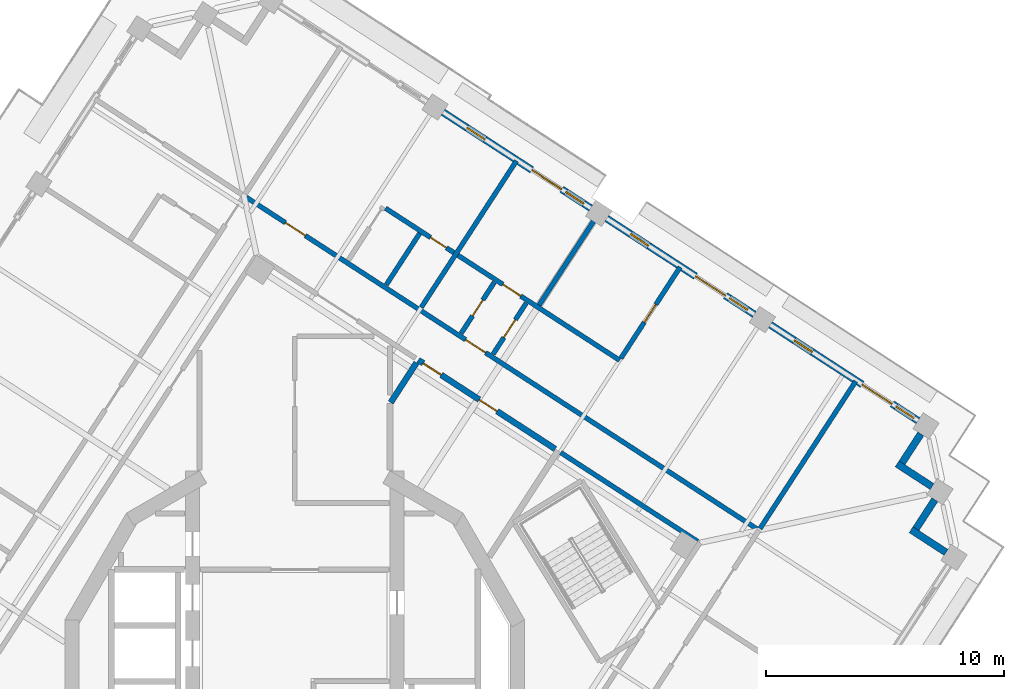
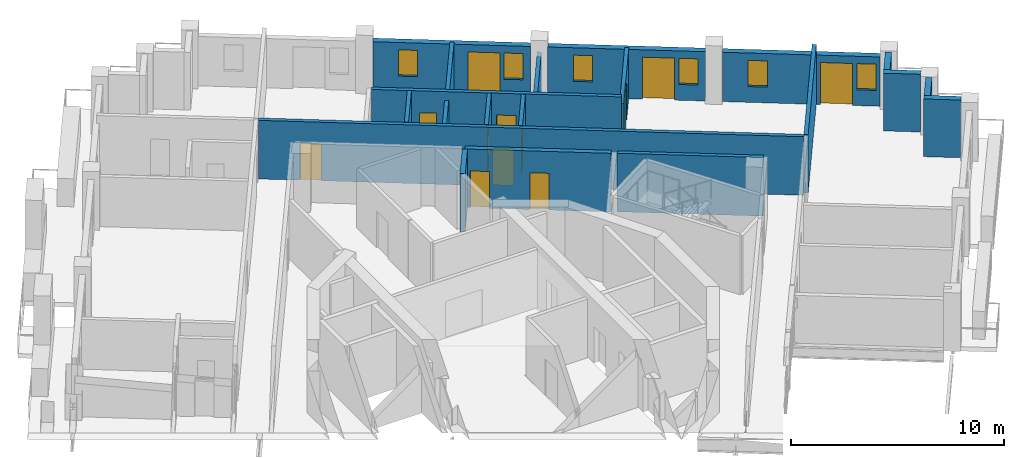
# One storey, part 10 of 17: 19 walls, 12 doors, 6 windows, 18 openings.
"""IFC4 building model written with IfcOpenShell, lengths in metres."""

from ifc_helpers import new_model, si_unit, direction, frame, frame_2d, origin, place, context, subcontext, project, spatial, rectangle, extrude, material, layer, layer_set, type_object, element, fill, save


model = new_model("IFC4")

# Units and contexts
model_context = context("Model", 3, precision=1e-05, world=origin(), true_north=direction((0.0, 1.0)))
body_context = subcontext(model_context, "Body", "Model", "MODEL_VIEW")
ifc_project = project(units=[si_unit("LENGTHUNIT", "METRE"), si_unit("AREAUNIT", "SQUARE_METRE"), si_unit("VOLUMEUNIT", "CUBIC_METRE"), si_unit("PLANEANGLEUNIT", "RADIAN"), si_unit("MASSUNIT", "GRAM", prefix="KILO")], contexts=[model_context])

# Site, building, storey
site_placement = place(None, origin())
site = spatial("IfcSite", under=ifc_project, at=site_placement, CompositionType="ELEMENT")
building_placement = place(site_placement, origin())
building = spatial("IfcBuilding", under=site, at=building_placement, Name="Cantera Rosa Tower", CompositionType="ELEMENT")
storey_placement = place(building_placement, frame((0.0, 0.0, 257.699951171875)))
storey = spatial("IfcBuildingStorey", under=building, at=storey_placement, Name="L57", CompositionType="ELEMENT", Elevation=257.699951171875)

# Wall
ifc_material_1 = material(Name="Gypsum board partition")
ifc_layer_1 = layer(ifc_material_1, 0.199951171875)
ifc_layer_set_1 = layer_set([ifc_layer_1], Name="CORRIDOR WALL 200 H3350")
wall_type_1 = type_object("IfcWallType", Name="CORRIDOR WALL 200 H3350", PredefinedType="PARTITIONING", material=ifc_layer_set_1)
wall_1_placement = place(storey_placement, frame((16.931884765625, 5.876220703125, 0.0), z_axis=(0.0, 0.0, 1.0), x_axis=(-0.838675281216, 0.544631777146, 0.0)))
element("IfcWall", 1, at=wall_1_placement, inside=storey, type_object=wall_type_1, Name="CORRIDOR WALL L57-098", PredefinedType="PARTITIONING", context=body_context, shape_type="SweptSolid", body=[
    extrude(rectangle(XDim=6.85986328125, YDim=0.199951171875, at=frame_2d((3.429931640625, 0.0))), origin(), (0.0, 0.0, 1.0), 3.35009765625),
])

# Wall, openings, doors
wall_2_placement = place(storey_placement, frame((19.422119140625, 6.405517578125, 0.0), z_axis=(0.0, 0.0, 1.0), x_axis=(-0.838672283131, 0.544636393851, 0.0)))
wall_2 = element("IfcWall", 2, at=wall_2_placement, inside=storey, type_object=wall_type_1, Name="CORRIDOR WALL L57-101", PredefinedType="PARTITIONING", context=body_context, shape_type="SweptSolid", body=[
    extrude(rectangle(XDim=25.580078125, YDim=0.199951171875, at=frame_2d((12.7900390625, 0.0))), origin(), (0.0, 0.0, 1.0), 3.35009765625),
])
opening_1_placement = place(wall_2_placement, frame((13.60009765625, 0.0, 0.0)))
opening_1 = element("IfcOpeningElement", 3, at=opening_1_placement, cuts=wall_2, Name="Opening L57-019", PredefinedType="OPENING", context=body_context, shape_type="SweptSolid", body=[
    extrude(rectangle(XDim=1.0, YDim=2.10009765625, at=frame_2d((0.5, 1.050048828125))), frame((0.0, 0.10986328125, 0.0), z_axis=(0.0, -1.0, 0.0), x_axis=(1.0, 0.0, 0.0)), (0.0, 0.0, 1.0), 0.219970703125),
])
opening_2_placement = place(wall_2_placement, frame((22.625, 0.0, 0.0)))
opening_2 = element("IfcOpeningElement", 4, at=opening_2_placement, cuts=wall_2, Name="Opening L57-024", PredefinedType="OPENING", context=body_context, shape_type="SweptSolid", body=[
    extrude(rectangle(XDim=1.0, YDim=2.10009765625, at=frame_2d((0.5, 1.050048828125))), frame((0.0, 0.10986328125, 0.0), z_axis=(0.0, -1.0, 0.0), x_axis=(1.0, 0.0, 0.0)), (0.0, 0.0, 1.0), 0.219970703125),
])
ifc_material_2 = material(Name="Timber door leaf", Category="wood")
door_type_1 = type_object("IfcDoorType", Name="ENTRANCE DOOR 1000x2100", OperationType="NOTDEFINED", PredefinedType="DOOR", material=ifc_material_2)
door_1_placement = place(opening_1_placement, origin())
door_1 = element("IfcDoor", 5, at=door_1_placement, inside=storey, type_object=door_type_1, Name="DOOR L57-019", OperationType="NOTDEFINED", OverallHeight=2.10009765625, OverallWidth=1.0, PredefinedType="DOOR", context=body_context, shape_type="SweptSolid", body=[
    extrude(rectangle(XDim=1.0, YDim=2.10009765625, at=frame_2d((0.5, 1.050048828125))), frame((0.0, 0.02490234375, 0.0), z_axis=(0.0, -1.0, 0.0), x_axis=(1.0, 0.0, 0.0)), (0.0, 0.0, 1.0), 0.050048828125),
])
fill(opening_1, door_1)
door_2_placement = place(opening_2_placement, origin())
door_2 = element("IfcDoor", 6, at=door_2_placement, inside=storey, type_object=door_type_1, Name="DOOR L57-024", OperationType="NOTDEFINED", OverallHeight=2.10009765625, OverallWidth=1.0, PredefinedType="DOOR", context=body_context, shape_type="SweptSolid", body=[
    extrude(rectangle(XDim=1.0, YDim=2.10009765625, at=frame_2d((0.5, 1.050048828125))), frame((0.0, 0.02490234375, 0.0), z_axis=(0.0, -1.0, 0.0), x_axis=(1.0, 0.0, 0.0)), (0.0, 0.0, 1.0), 0.050048828125),
])
fill(opening_2, door_2)

# Walls
ifc_material_3 = material(Name="Hollow clay masonry with cantera stone cladding", Category="masonry")
ifc_layer_2 = layer(ifc_material_3, 0.300048828125)
ifc_layer_set_2 = layer_set([ifc_layer_2], Name="EW-LOGGIA 300")
wall_type_2 = type_object("IfcWallType", Name="EW-LOGGIA 300", PredefinedType="SOLIDWALL", material=ifc_layer_set_2)
wall_3_placement = place(storey_placement, frame((27.36669921875, 5.41943359375, 0.0), z_axis=(0.0, 0.0, 1.0), x_axis=(-0.838685761837, 0.54461563776, 0.0)))
element("IfcWall", 7, at=wall_3_placement, inside=storey, type_object=wall_type_2, Name="EN-L57-W25a", PredefinedType="SOLIDWALL", context=body_context, shape_type="SweptSolid", body=[
    extrude(rectangle(XDim=1.75, YDim=0.300048828125, at=frame_2d((0.875, 0.0))), origin(), (0.0, 0.0, 1.0), 3.300048828125),
])
wall_4_placement = place(storey_placement, frame((26.1064453125, 6.41650390625, 0.0), z_axis=(0.0, 0.0, 1.0), x_axis=(0.54467465438, 0.838647435384, 0.0)))
element("IfcWall", 8, at=wall_4_placement, inside=storey, type_object=wall_type_2, Name="EN-L57-W25b", PredefinedType="SOLIDWALL", context=body_context, shape_type="SweptSolid", body=[
    extrude(rectangle(XDim=1.449951171875, YDim=0.300048828125, at=frame_2d((0.72509765625, 0.0))), origin(), (0.0, 0.0, 1.0), 3.300048828125),
])
wall_5_placement = place(storey_placement, frame((26.778564453125, 8.18603515625, 0.0), z_axis=(0.0, 0.0, 1.0), x_axis=(-0.838685761837, 0.54461563776, 0.0)))
element("IfcWall", 9, at=wall_5_placement, inside=storey, type_object=wall_type_2, Name="EN-L57-W26a", PredefinedType="SOLIDWALL", context=body_context, shape_type="SweptSolid", body=[
    extrude(rectangle(XDim=1.75, YDim=0.300048828125, at=frame_2d((0.875, 0.0))), origin(), (0.0, 0.0, 1.0), 3.300048828125),
])
wall_6_placement = place(storey_placement, frame((25.518310546875, 9.18310546875, 0.0), z_axis=(0.0, 0.0, 1.0), x_axis=(0.54467465438, 0.838647435384, 0.0)))
element("IfcWall", 10, at=wall_6_placement, inside=storey, type_object=wall_type_2, Name="EN-L57-W26b", PredefinedType="SOLIDWALL", context=body_context, shape_type="SweptSolid", body=[
    extrude(rectangle(XDim=1.449951171875, YDim=0.300048828125, at=frame_2d((0.72509765625, 0.0))), origin(), (0.0, 0.0, 1.0), 3.300048828125),
])

# Wall, openings, windows, door
ifc_material_4 = material(Name="Hollow clay masonry with cantera stone cladding", Category="masonry")
ifc_layer_3 = layer(ifc_material_4, 0.300048828125)
ifc_layer_set_3 = layer_set([ifc_layer_3], Name="EW-LOGGIA 300 H2820")
wall_type_3 = type_object("IfcWallType", Name="EW-LOGGIA 300 H2820", PredefinedType="SOLIDWALL", material=ifc_layer_set_3)
wall_7_placement = place(storey_placement, frame((26.1904296875, 10.95263671875, 0.0), z_axis=(0.0, 0.0, 1.0), x_axis=(-0.838669679097, 0.544640403719, 0.0)))
wall_7 = element("IfcWall", 11, at=wall_7_placement, inside=storey, type_object=wall_type_3, Name="EN-L57-W01", PredefinedType="SOLIDWALL", context=body_context, shape_type="SweptSolid", body=[
    extrude(rectangle(XDim=7.39990234375, YDim=0.300048828125, at=frame_2d((3.699951171875, 0.0))), origin(), (0.0, 0.0, 1.0), 2.820068359375),
])
opening_3_placement = place(wall_7_placement, frame((0.199951171875, 0.0, 0.89990234375)))
opening_3 = element("IfcOpeningElement", 12, at=opening_3_placement, cuts=wall_7, Name="Opening L57-W01", PredefinedType="OPENING", context=body_context, shape_type="SweptSolid", body=[
    extrude(rectangle(XDim=0.89990234375, YDim=1.5, at=frame_2d((0.449951171875, 0.75))), frame((0.0, 0.159912109375, 0.0), z_axis=(0.0, -1.0, 0.0), x_axis=(1.0, 0.0, 0.0)), (0.0, 0.0, 1.0), 0.320068359375),
])
opening_4_placement = place(wall_7_placement, frame((1.300048828125, 0.0, 0.0)))
opening_4 = element("IfcOpeningElement", 13, at=opening_4_placement, cuts=wall_7, Name="Opening L57-TD02", PredefinedType="OPENING", context=body_context, shape_type="SweptSolid", body=[
    extrude(rectangle(XDim=1.5, YDim=2.39990234375, at=frame_2d((0.75, 1.199951171875))), frame((0.0, 0.159912109375, 0.0), z_axis=(0.0, -1.0, 0.0), x_axis=(1.0, 0.0, 0.0)), (0.0, 0.0, 1.0), 0.320068359375),
])
opening_5_placement = place(wall_7_placement, frame((5.300048828125, 0.0, 0.89990234375)))
opening_5 = element("IfcOpeningElement", 14, at=opening_5_placement, cuts=wall_7, Name="Opening L57-W03", PredefinedType="OPENING", context=body_context, shape_type="SweptSolid", body=[
    extrude(rectangle(XDim=0.89990234375, YDim=1.5, at=frame_2d((0.449951171875, 0.75))), frame((0.0, 0.159912109375, 0.0), z_axis=(0.0, -1.0, 0.0), x_axis=(1.0, 0.0, 0.0)), (0.0, 0.0, 1.0), 0.320068359375),
])
ifc_material_5 = material(Name="Aluminium frame with clear glass", Category="aluminium")
window_type = type_object("IfcWindowType", Name="Residential window 900x1500", PartitioningType="SINGLE_PANEL", PredefinedType="WINDOW", material=ifc_material_5)
window_1_placement = place(opening_3_placement, origin())
window_1 = element("IfcWindow", 15, at=window_1_placement, inside=storey, type_object=window_type, Name="WINDOW L57-W01", OverallHeight=1.5, OverallWidth=0.89990234375, PartitioningType="SINGLE_PANEL", PredefinedType="WINDOW", context=body_context, shape_type="SweptSolid", body=[
    extrude(rectangle(XDim=0.89990234375, YDim=1.5, at=frame_2d((0.449951171875, 0.75))), frame((0.0, 0.030029296875, 0.0), z_axis=(0.0, -1.0, 0.0), x_axis=(1.0, 0.0, 0.0)), (0.0, 0.0, 1.0), 0.06005859375),
])
fill(opening_3, window_1)
window_2_placement = place(opening_5_placement, origin())
window_2 = element("IfcWindow", 16, at=window_2_placement, inside=storey, type_object=window_type, Name="WINDOW L57-W03", OverallHeight=1.5, OverallWidth=0.89990234375, PartitioningType="SINGLE_PANEL", PredefinedType="WINDOW", context=body_context, shape_type="SweptSolid", body=[
    extrude(rectangle(XDim=0.89990234375, YDim=1.5, at=frame_2d((0.449951171875, 0.75))), frame((0.0, 0.030029296875, 0.0), z_axis=(0.0, -1.0, 0.0), x_axis=(1.0, 0.0, 0.0)), (0.0, 0.0, 1.0), 0.06005859375),
])
fill(opening_5, window_2)
ifc_material_6 = material(Name="Aluminium frame with clear glass", Category="aluminium")
door_type_2 = type_object("IfcDoorType", Name="TD-R 1500x2400", OperationType="NOTDEFINED", PredefinedType="DOOR", material=ifc_material_6)
door_3_placement = place(opening_4_placement, origin())
door_3 = element("IfcDoor", 17, at=door_3_placement, inside=storey, type_object=door_type_2, Name="LOGGIA DOOR L57-TD02", OperationType="SLIDING_TO_LEFT", OverallHeight=2.39990234375, OverallWidth=1.5, PredefinedType="DOOR", context=body_context, shape_type="SweptSolid", body=[
    extrude(rectangle(XDim=1.5, YDim=2.39990234375, at=frame_2d((0.75, 1.199951171875))), frame((0.0, 0.02490234375, 0.0), z_axis=(0.0, -1.0, 0.0), x_axis=(1.0, 0.0, 0.0)), (0.0, 0.0, 1.0), 0.050048828125),
])
fill(opening_4, door_3)

wall_8_placement = place(storey_placement, frame((19.3134765625, 15.418701171875, 0.0), z_axis=(0.0, 0.0, 1.0), x_axis=(-0.838679465365, 0.544625333946, 0.0)))
wall_8 = element("IfcWall", 18, at=wall_8_placement, inside=storey, type_object=wall_type_3, Name="EN-L57-W02", PredefinedType="SOLIDWALL", context=body_context, shape_type="SweptSolid", body=[
    extrude(rectangle(XDim=7.400146484375, YDim=0.300048828125, at=frame_2d((3.7001953125, 0.0))), origin(), (0.0, 0.0, 1.0), 2.820068359375),
])
opening_6_placement = place(wall_8_placement, frame((0.35009765625, 0.0, 0.89990234375)))
opening_6 = element("IfcOpeningElement", 19, at=opening_6_placement, cuts=wall_8, Name="Opening L57-W04", PredefinedType="OPENING", context=body_context, shape_type="SweptSolid", body=[
    extrude(rectangle(XDim=0.89990234375, YDim=1.5, at=frame_2d((0.449951171875, 0.75))), frame((0.0, 0.159912109375, 0.0), z_axis=(0.0, -1.0, 0.0), x_axis=(1.0, 0.0, 0.0)), (0.0, 0.0, 1.0), 0.320068359375),
])
opening_7_placement = place(wall_8_placement, frame((1.449951171875, 0.0, 0.0)))
opening_7 = element("IfcOpeningElement", 20, at=opening_7_placement, cuts=wall_8, Name="Opening L57-TD05", PredefinedType="OPENING", context=body_context, shape_type="SweptSolid", body=[
    extrude(rectangle(XDim=1.5, YDim=2.39990234375, at=frame_2d((0.75, 1.199951171875))), frame((0.0, 0.159912109375, 0.0), z_axis=(0.0, -1.0, 0.0), x_axis=(1.0, 0.0, 0.0)), (0.0, 0.0, 1.0), 0.320068359375),
])
opening_8_placement = place(wall_8_placement, frame((5.300048828125, 0.0, 0.89990234375)))
opening_8 = element("IfcOpeningElement", 21, at=opening_8_placement, cuts=wall_8, Name="Opening L57-W06", PredefinedType="OPENING", context=body_context, shape_type="SweptSolid", body=[
    extrude(rectangle(XDim=0.89990234375, YDim=1.5, at=frame_2d((0.449951171875, 0.75))), frame((0.0, 0.159912109375, 0.0), z_axis=(0.0, -1.0, 0.0), x_axis=(1.0, 0.0, 0.0)), (0.0, 0.0, 1.0), 0.320068359375),
])
window_3_placement = place(opening_6_placement, origin())
window_3 = element("IfcWindow", 22, at=window_3_placement, inside=storey, type_object=window_type, Name="WINDOW L57-W04", OverallHeight=1.5, OverallWidth=0.89990234375, PartitioningType="SINGLE_PANEL", PredefinedType="WINDOW", context=body_context, shape_type="SweptSolid", body=[
    extrude(rectangle(XDim=0.89990234375, YDim=1.5, at=frame_2d((0.449951171875, 0.75))), frame((0.0, 0.030029296875, 0.0), z_axis=(0.0, -1.0, 0.0), x_axis=(1.0, 0.0, 0.0)), (0.0, 0.0, 1.0), 0.06005859375),
])
fill(opening_6, window_3)
window_4_placement = place(opening_8_placement, origin())
window_4 = element("IfcWindow", 23, at=window_4_placement, inside=storey, type_object=window_type, Name="WINDOW L57-W06", OverallHeight=1.5, OverallWidth=0.89990234375, PartitioningType="SINGLE_PANEL", PredefinedType="WINDOW", context=body_context, shape_type="SweptSolid", body=[
    extrude(rectangle(XDim=0.89990234375, YDim=1.5, at=frame_2d((0.449951171875, 0.75))), frame((0.0, 0.030029296875, 0.0), z_axis=(0.0, -1.0, 0.0), x_axis=(1.0, 0.0, 0.0)), (0.0, 0.0, 1.0), 0.06005859375),
])
fill(opening_8, window_4)
door_4_placement = place(opening_7_placement, origin())
door_4 = element("IfcDoor", 24, at=door_4_placement, inside=storey, type_object=door_type_2, Name="LOGGIA DOOR L57-TD05", OperationType="SLIDING_TO_LEFT", OverallHeight=2.39990234375, OverallWidth=1.5, PredefinedType="DOOR", context=body_context, shape_type="SweptSolid", body=[
    extrude(rectangle(XDim=1.5, YDim=2.39990234375, at=frame_2d((0.75, 1.199951171875))), frame((0.0, 0.02490234375, 0.0), z_axis=(0.0, -1.0, 0.0), x_axis=(1.0, 0.0, 0.0)), (0.0, 0.0, 1.0), 0.050048828125),
])
fill(opening_7, door_4)

wall_9_placement = place(storey_placement, frame((12.436279296875, 19.884765625, 0.0), z_axis=(0.0, 0.0, 1.0), x_axis=(-0.838669679097, 0.544640403719, 0.0)))
wall_9 = element("IfcWall", 25, at=wall_9_placement, inside=storey, type_object=wall_type_3, Name="EN-L57-W03", PredefinedType="SOLIDWALL", context=body_context, shape_type="SweptSolid", body=[
    extrude(rectangle(XDim=7.39990234375, YDim=0.300048828125, at=frame_2d((3.699951171875, 0.0))), origin(), (0.0, 0.0, 1.0), 2.820068359375),
])
opening_9_placement = place(wall_9_placement, frame((0.35009765625, 0.0, 0.89990234375)))
opening_9 = element("IfcOpeningElement", 26, at=opening_9_placement, cuts=wall_9, Name="Opening L57-W07", PredefinedType="OPENING", context=body_context, shape_type="SweptSolid", body=[
    extrude(rectangle(XDim=0.89990234375, YDim=1.5, at=frame_2d((0.449951171875, 0.75))), frame((0.0, 0.159912109375, 0.0), z_axis=(0.0, -1.0, 0.0), x_axis=(1.0, 0.0, 0.0)), (0.0, 0.0, 1.0), 0.320068359375),
])
opening_10_placement = place(wall_9_placement, frame((1.449951171875, 0.0, 0.0)))
opening_10 = element("IfcOpeningElement", 27, at=opening_10_placement, cuts=wall_9, Name="Opening L57-TD08", PredefinedType="OPENING", context=body_context, shape_type="SweptSolid", body=[
    extrude(rectangle(XDim=1.5, YDim=2.39990234375, at=frame_2d((0.75, 1.199951171875))), frame((0.0, 0.159912109375, 0.0), z_axis=(0.0, -1.0, 0.0), x_axis=(1.0, 0.0, 0.0)), (0.0, 0.0, 1.0), 0.320068359375),
])
opening_11_placement = place(wall_9_placement, frame((5.300048828125, 0.0, 0.89990234375)))
opening_11 = element("IfcOpeningElement", 28, at=opening_11_placement, cuts=wall_9, Name="Opening L57-W09", PredefinedType="OPENING", context=body_context, shape_type="SweptSolid", body=[
    extrude(rectangle(XDim=0.89990234375, YDim=1.5, at=frame_2d((0.449951171875, 0.75))), frame((0.0, 0.159912109375, 0.0), z_axis=(0.0, -1.0, 0.0), x_axis=(1.0, 0.0, 0.0)), (0.0, 0.0, 1.0), 0.320068359375),
])
window_5_placement = place(opening_9_placement, origin())
window_5 = element("IfcWindow", 29, at=window_5_placement, inside=storey, type_object=window_type, Name="WINDOW L57-W07", OverallHeight=1.5, OverallWidth=0.89990234375, PartitioningType="SINGLE_PANEL", PredefinedType="WINDOW", context=body_context, shape_type="SweptSolid", body=[
    extrude(rectangle(XDim=0.89990234375, YDim=1.5, at=frame_2d((0.449951171875, 0.75))), frame((0.0, 0.030029296875, 0.0), z_axis=(0.0, -1.0, 0.0), x_axis=(1.0, 0.0, 0.0)), (0.0, 0.0, 1.0), 0.06005859375),
])
fill(opening_9, window_5)
window_6_placement = place(opening_11_placement, origin())
window_6 = element("IfcWindow", 30, at=window_6_placement, inside=storey, type_object=window_type, Name="WINDOW L57-W09", OverallHeight=1.5, OverallWidth=0.89990234375, PartitioningType="SINGLE_PANEL", PredefinedType="WINDOW", context=body_context, shape_type="SweptSolid", body=[
    extrude(rectangle(XDim=0.89990234375, YDim=1.5, at=frame_2d((0.449951171875, 0.75))), frame((0.0, 0.030029296875, 0.0), z_axis=(0.0, -1.0, 0.0), x_axis=(1.0, 0.0, 0.0)), (0.0, 0.0, 1.0), 0.06005859375),
])
fill(opening_11, window_6)
door_5_placement = place(opening_10_placement, origin())
door_5 = element("IfcDoor", 31, at=door_5_placement, inside=storey, type_object=door_type_2, Name="LOGGIA DOOR L57-TD08", OperationType="SLIDING_TO_LEFT", OverallHeight=2.39990234375, OverallWidth=1.5, PredefinedType="DOOR", context=body_context, shape_type="SweptSolid", body=[
    extrude(rectangle(XDim=1.5, YDim=2.39990234375, at=frame_2d((0.75, 1.199951171875))), frame((0.0, 0.02490234375, 0.0), z_axis=(0.0, -1.0, 0.0), x_axis=(1.0, 0.0, 0.0)), (0.0, 0.0, 1.0), 0.050048828125),
])
fill(opening_10, door_5)

# Wall
ifc_material_7 = material(Name="Gypsum board partition")
ifc_layer_4 = layer(ifc_material_7, 0.199951171875)
ifc_layer_set_4 = layer_set([ifc_layer_4], Name="PARTITION 200 H2450")
wall_type_4 = type_object("IfcWallType", Name="PARTITION 200 H2450", PredefinedType="PARTITIONING", material=ifc_layer_set_4)
wall_10_placement = place(storey_placement, frame((12.75537109375, 19.6416015625, 0.0), z_axis=(0.0, 0.0, 1.0), x_axis=(-0.544637163551, -0.838671783285, 0.0)))
element("IfcWall", 32, at=wall_10_placement, inside=storey, type_object=wall_type_4, Name="PARTITION L57-092", PredefinedType="PARTITIONING", context=body_context, shape_type="SweptSolid", body=[
    extrude(rectangle(XDim=4.570068359375, YDim=0.199951171875, at=frame_2d((2.28515625, 0.0))), origin(), (0.0, 0.0, 1.0), 2.449951171875),
])

# Wall, opening, door
ifc_material_8 = material(Name="Gypsum board partition")
ifc_layer_5 = layer(ifc_material_8, 0.199951171875)
ifc_layer_set_5 = layer_set([ifc_layer_5], Name="PARTITION 200 H2850")
wall_type_5 = type_object("IfcWallType", Name="PARTITION 200 H2850", PredefinedType="PARTITIONING", material=ifc_layer_set_5)
wall_11_placement = place(storey_placement, frame((16.194091796875, 17.40869140625, 0.0), z_axis=(0.0, 0.0, 1.0), x_axis=(-0.544637163551, -0.838671783285, 0.0)))
wall_11 = element("IfcWall", 33, at=wall_11_placement, inside=storey, type_object=wall_type_5, Name="PARTITION L57-097", PredefinedType="PARTITIONING", context=body_context, shape_type="SweptSolid", body=[
    extrude(rectangle(XDim=4.570068359375, YDim=0.199951171875, at=frame_2d((2.28515625, 0.0))), origin(), (0.0, 0.0, 1.0), 2.85009765625),
])
opening_12_placement = place(wall_11_placement, frame((1.8701171875, 0.0, 0.0)))
opening_12 = element("IfcOpeningElement", 34, at=opening_12_placement, cuts=wall_11, Name="Opening L57-023", PredefinedType="OPENING", context=body_context, shape_type="SweptSolid", body=[
    extrude(rectangle(XDim=0.89990234375, YDim=2.10009765625, at=frame_2d((0.449951171875, 1.050048828125))), frame((0.0, 0.10986328125, 0.0), z_axis=(0.0, -1.0, 0.0), x_axis=(1.0, 0.0, 0.0)), (0.0, 0.0, 1.0), 0.219970703125),
])
ifc_material_9 = material(Name="Timber door leaf", Category="wood")
door_type_3 = type_object("IfcDoorType", Name="ROOM DOOR 900x2100", OperationType="NOTDEFINED", PredefinedType="DOOR", material=ifc_material_9)
door_6_placement = place(opening_12_placement, origin())
door_6 = element("IfcDoor", 35, at=door_6_placement, inside=storey, type_object=door_type_3, Name="DOOR L57-023", OperationType="NOTDEFINED", OverallHeight=2.10009765625, OverallWidth=0.89990234375, PredefinedType="DOOR", context=body_context, shape_type="SweptSolid", body=[
    extrude(rectangle(XDim=0.89990234375, YDim=2.10009765625, at=frame_2d((0.449951171875, 1.050048828125))), frame((0.0, 0.02490234375, 0.0), z_axis=(0.0, -1.0, 0.0), x_axis=(1.0, 0.0, 0.0)), (0.0, 0.0, 1.0), 0.050048828125),
])
fill(opening_12, door_6)

# Wall, openings, doors
ifc_material_10 = material(Name="Gypsum board partition")
ifc_layer_6 = layer(ifc_material_10, 0.199951171875)
ifc_layer_set_6 = layer_set([ifc_layer_6], Name="PARTITION 200 H3350")
wall_type_6 = type_object("IfcWallType", Name="PARTITION 200 H3350", PredefinedType="PARTITIONING", material=ifc_layer_set_6)
wall_12_placement = place(storey_placement, frame((3.81298828125, 19.880615234375, 0.0), z_axis=(0.0, 0.0, 1.0), x_axis=(0.838672750413, -0.544635674295, 0.0)))
wall_12 = element("IfcWall", 36, at=wall_12_placement, inside=storey, type_object=wall_type_6, Name="PARTITION L57-066", PredefinedType="PARTITIONING", context=body_context, shape_type="SweptSolid", body=[
    extrude(rectangle(XDim=11.729736328125, YDim=0.199951171875, at=frame_2d((5.86474609375, 0.0))), origin(), (0.0, 0.0, 1.0), 3.35009765625),
])
opening_13_placement = place(wall_12_placement, frame((5.8798828125, 0.0, 0.0)))
opening_13 = element("IfcOpeningElement", 37, at=opening_13_placement, cuts=wall_12, Name="Opening L57-022", PredefinedType="OPENING", context=body_context, shape_type="SweptSolid", body=[
    extrude(rectangle(XDim=0.89990234375, YDim=2.10009765625, at=frame_2d((0.449951171875, 1.050048828125))), frame((0.0, 0.10986328125, 0.0), z_axis=(0.0, -1.0, 0.0), x_axis=(1.0, 0.0, 0.0)), (0.0, 0.0, 1.0), 0.219970703125),
])
opening_14_placement = place(wall_12_placement, frame((2.2548828125, 0.0, 0.0)))
opening_14 = element("IfcOpeningElement", 38, at=opening_14_placement, cuts=wall_12, Name="Opening L57-025", PredefinedType="OPENING", context=body_context, shape_type="SweptSolid", body=[
    extrude(rectangle(XDim=0.800048828125, YDim=2.10009765625, at=frame_2d((0.39990234375, 1.050048828125))), frame((0.0, 0.10986328125, 0.0), z_axis=(0.0, -1.0, 0.0), x_axis=(1.0, 0.0, 0.0)), (0.0, 0.0, 1.0), 0.219970703125),
])
ifc_material_11 = material(Name="Timber door leaf", Category="wood")
door_type_4 = type_object("IfcDoorType", Name="BATHROOM DOOR 800x2100", OperationType="NOTDEFINED", PredefinedType="DOOR", material=ifc_material_11)
door_7_placement = place(opening_14_placement, origin())
door_7 = element("IfcDoor", 39, at=door_7_placement, inside=storey, type_object=door_type_4, Name="DOOR L57-025", OperationType="NOTDEFINED", OverallHeight=2.10009765625, OverallWidth=0.800048828125, PredefinedType="DOOR", context=body_context, shape_type="SweptSolid", body=[
    extrude(rectangle(XDim=0.800048828125, YDim=2.10009765625, at=frame_2d((0.39990234375, 1.050048828125))), frame((0.0, 0.02490234375, 0.0), z_axis=(0.0, -1.0, 0.0), x_axis=(1.0, 0.0, 0.0)), (0.0, 0.0, 1.0), 0.050048828125),
])
fill(opening_14, door_7)
door_8_placement = place(opening_13_placement, origin())
door_8 = element("IfcDoor", 40, at=door_8_placement, inside=storey, type_object=door_type_3, Name="DOOR L57-022", OperationType="NOTDEFINED", OverallHeight=2.10009765625, OverallWidth=0.89990234375, PredefinedType="DOOR", context=body_context, shape_type="SweptSolid", body=[
    extrude(rectangle(XDim=0.89990234375, YDim=2.10009765625, at=frame_2d((0.449951171875, 1.050048828125))), frame((0.0, 0.02490234375, 0.0), z_axis=(0.0, -1.0, 0.0), x_axis=(1.0, 0.0, 0.0)), (0.0, 0.0, 1.0), 0.050048828125),
])
fill(opening_13, door_8)

# Wall
wall_13_placement = place(storey_placement, frame((3.84619140625, 16.66357421875, 0.0), z_axis=(0.0, 0.0, 1.0), x_axis=(0.544592476005, 0.838700801883, 0.0)))
element("IfcWall", 41, at=wall_13_placement, inside=storey, type_object=wall_type_6, Name="PARTITION L57-067", PredefinedType="PARTITIONING", context=body_context, shape_type="SweptSolid", body=[
    extrude(rectangle(XDim=2.580078125, YDim=0.199951171875, at=frame_2d((1.2900390625, 0.0))), origin(), (0.0, 0.0, 1.0), 3.35009765625),
])

# Wall, opening, door
wall_14_placement = place(storey_placement, frame((8.385498046875, 16.768310546875, 0.0), z_axis=(0.0, 0.0, 1.0), x_axis=(-0.544602829464, -0.838694078994, 0.0)))
wall_14 = element("IfcWall", 42, at=wall_14_placement, inside=storey, type_object=wall_type_6, Name="PARTITION L57-086", PredefinedType="PARTITIONING", context=body_context, shape_type="SweptSolid", body=[
    extrude(rectangle(XDim=2.560302734375, YDim=0.199951171875, at=frame_2d((1.2802734375, 0.0))), origin(), (0.0, 0.0, 1.0), 3.35009765625),
])
opening_15_placement = place(wall_14_placement, frame((0.8798828125, 0.0, 0.0)))
opening_15 = element("IfcOpeningElement", 43, at=opening_15_placement, cuts=wall_14, Name="Opening L57-020", PredefinedType="OPENING", context=body_context, shape_type="SweptSolid", body=[
    extrude(rectangle(XDim=0.800048828125, YDim=2.10009765625, at=frame_2d((0.39990234375, 1.050048828125))), frame((0.0, 0.10986328125, 0.0), z_axis=(0.0, -1.0, 0.0), x_axis=(1.0, 0.0, 0.0)), (0.0, 0.0, 1.0), 0.219970703125),
])
door_9_placement = place(opening_15_placement, origin())
door_9 = element("IfcDoor", 44, at=door_9_placement, inside=storey, type_object=door_type_4, Name="DOOR L57-020", OperationType="NOTDEFINED", OverallHeight=2.10009765625, OverallWidth=0.800048828125, PredefinedType="DOOR", context=body_context, shape_type="SweptSolid", body=[
    extrude(rectangle(XDim=0.800048828125, YDim=2.10009765625, at=frame_2d((0.39990234375, 1.050048828125))), frame((0.0, 0.02490234375, 0.0), z_axis=(0.0, -1.0, 0.0), x_axis=(1.0, 0.0, 0.0)), (0.0, 0.0, 1.0), 0.050048828125),
])
fill(opening_15, door_9)

wall_15_placement = place(storey_placement, frame((9.727294921875, 15.896728515625, 0.0), z_axis=(0.0, 0.0, 1.0), x_axis=(-0.544646388536, -0.838665792468, 0.0)))
wall_15 = element("IfcWall", 45, at=wall_15_placement, inside=storey, type_object=wall_type_6, Name="PARTITION L57-089", PredefinedType="PARTITIONING", context=body_context, shape_type="SweptSolid", body=[
    extrude(rectangle(XDim=2.56005859375, YDim=0.199951171875, at=frame_2d((1.280029296875, 0.0))), origin(), (0.0, 0.0, 1.0), 3.35009765625),
])
opening_16_placement = place(wall_15_placement, frame((0.830078125, 0.0, 0.0)))
opening_16 = element("IfcOpeningElement", 46, at=opening_16_placement, cuts=wall_15, Name="Opening L57-021", PredefinedType="OPENING", context=body_context, shape_type="SweptSolid", body=[
    extrude(rectangle(XDim=0.89990234375, YDim=2.10009765625, at=frame_2d((0.449951171875, 1.050048828125))), frame((0.0, 0.10986328125, 0.0), z_axis=(0.0, -1.0, 0.0), x_axis=(1.0, 0.0, 0.0)), (0.0, 0.0, 1.0), 0.219970703125),
])
door_10_placement = place(opening_16_placement, origin())
door_10 = element("IfcDoor", 47, at=door_10_placement, inside=storey, type_object=door_type_3, Name="DOOR L57-021", OperationType="NOTDEFINED", OverallHeight=2.10009765625, OverallWidth=0.89990234375, PredefinedType="DOOR", context=body_context, shape_type="SweptSolid", body=[
    extrude(rectangle(XDim=0.89990234375, YDim=2.10009765625, at=frame_2d((0.449951171875, 1.050048828125))), frame((0.0, 0.02490234375, 0.0), z_axis=(0.0, -1.0, 0.0), x_axis=(1.0, 0.0, 0.0)), (0.0, 0.0, 1.0), 0.050048828125),
])
fill(opening_16, door_10)

# Walls
ifc_material_12 = material(Name="Gypsum board partition")
ifc_layer_7 = layer(ifc_material_12, 0.199951171875)
ifc_layer_set_7 = layer_set([ifc_layer_7], Name="PARTY WALL 200 H2850")
wall_type_7 = type_object("IfcWallType", Name="PARTY WALL 200 H2850", PredefinedType="PARTITIONING", material=ifc_layer_set_7)
wall_16_placement = place(storey_placement, frame((5.313720703125, 15.71044921875, 0.0), z_axis=(0.0, 0.0, 1.0), x_axis=(0.544641550729, 0.838668934217, 0.0)))
element("IfcWall", 48, at=wall_16_placement, inside=storey, type_object=wall_type_7, Name="PARTY WALL L57-078", PredefinedType="PARTITIONING", context=body_context, shape_type="SweptSolid", body=[
    extrude(rectangle(XDim=7.35009765625, YDim=0.199951171875, at=frame_2d((3.675048828125, 0.0))), origin(), (0.0, 0.0, 1.0), 2.85009765625),
])
ifc_material_13 = material(Name="Gypsum board partition")
ifc_layer_8 = layer(ifc_material_13, 0.199951171875)
ifc_layer_set_8 = layer_set([ifc_layer_8], Name="PARTY WALL 200 H3350")
wall_type_8 = type_object("IfcWallType", Name="PARTY WALL 200 H3350", PredefinedType="PARTITIONING", material=ifc_layer_set_8)
wall_17_placement = place(storey_placement, frame((23.57421875, 12.61572265625, 0.0), z_axis=(0.0, 0.0, 1.0), x_axis=(-0.544642261206, -0.838668472824, 0.0)))
element("IfcWall", 49, at=wall_17_placement, inside=storey, type_object=wall_type_8, Name="PARTY WALL L57-102", PredefinedType="PARTITIONING", context=body_context, shape_type="SweptSolid", body=[
    extrude(rectangle(XDim=7.389892578125, YDim=0.199951171875, at=frame_2d((3.69482421875, 0.0))), origin(), (0.0, 0.0, 1.0), 3.35009765625),
])
ifc_material_14 = material(Name="Masonry blockwork", Category="masonry")
ifc_layer_9 = layer(ifc_material_14, 0.25)
ifc_layer_set_9 = layer_set([ifc_layer_9], Name="SHAFT WALL 250 H3350")
wall_type_9 = type_object("IfcWallType", Name="SHAFT WALL 250 H3350", PredefinedType="SOLIDWALL", material=ifc_layer_set_9)
wall_18_placement = place(storey_placement, frame((4.03271484375, 11.718017578125, 0.0), z_axis=(0.0, 0.0, 1.0), x_axis=(0.544646988236, 0.83866540301, 0.0)))
element("IfcWall", 50, at=wall_18_placement, inside=storey, type_object=wall_type_9, Name="SHAFT WALL L57-071", PredefinedType="SOLIDWALL", context=body_context, shape_type="SweptSolid", body=[
    extrude(rectangle(XDim=1.986328125, YDim=0.25, at=frame_2d((0.9931640625, 0.0))), origin(), (0.0, 0.0, 1.0), 3.35009765625),
])

# Wall, openings, doors
wall_19_placement = place(storey_placement, frame((10.94384765625, 9.764892578125, 0.0), z_axis=(0.0, 0.0, 1.0), x_axis=(-0.838659024801, 0.544656809487, 0.0)))
wall_19 = element("IfcWall", 51, at=wall_19_placement, inside=storey, type_object=wall_type_9, Name="SHAFT WALL L57-090", PredefinedType="SOLIDWALL", context=body_context, shape_type="SweptSolid", body=[
    extrude(rectangle(XDim=6.85986328125, YDim=0.25, at=frame_2d((3.429931640625, 0.0))), origin(), (0.0, 0.0, 1.0), 3.35009765625),
])
opening_17_placement = place(wall_19_placement, frame((5.7099609375, 0.0, 0.0)))
opening_17 = element("IfcOpeningElement", 52, at=opening_17_placement, cuts=wall_19, Name="Opening L57-007", PredefinedType="OPENING", context=body_context, shape_type="SweptSolid", body=[
    extrude(rectangle(XDim=0.89990234375, YDim=2.10009765625, at=frame_2d((0.449951171875, 1.050048828125))), frame((0.0, 0.135009765625, 0.0), z_axis=(0.0, -1.0, 0.0), x_axis=(1.0, 0.0, 0.0)), (0.0, 0.0, 1.0), 0.27001953125),
])
opening_18_placement = place(wall_19_placement, frame((2.909912109375, 0.0, 0.0)))
opening_18 = element("IfcOpeningElement", 53, at=opening_18_placement, cuts=wall_19, Name="Opening L57-047", PredefinedType="OPENING", context=body_context, shape_type="SweptSolid", body=[
    extrude(rectangle(XDim=0.89990234375, YDim=2.10009765625, at=frame_2d((0.449951171875, 1.050048828125))), frame((0.0, 0.135009765625, 0.0), z_axis=(0.0, -1.0, 0.0), x_axis=(1.0, 0.0, 0.0)), (0.0, 0.0, 1.0), 0.27001953125),
])
ifc_material_15 = material(Name="Timber door leaf", Category="wood")
door_type_5 = type_object("IfcDoorType", Name="SERVICE DOOR 900x2100", OperationType="NOTDEFINED", PredefinedType="DOOR", material=ifc_material_15)
door_11_placement = place(opening_17_placement, origin())
door_11 = element("IfcDoor", 54, at=door_11_placement, inside=storey, type_object=door_type_5, Name="RISER DOOR L57-007", OperationType="NOTDEFINED", OverallHeight=2.10009765625, OverallWidth=0.89990234375, PredefinedType="DOOR", context=body_context, shape_type="SweptSolid", body=[
    extrude(rectangle(XDim=0.89990234375, YDim=2.10009765625, at=frame_2d((0.449951171875, 1.050048828125))), frame((0.0, 0.02490234375, 0.0), z_axis=(0.0, -1.0, 0.0), x_axis=(1.0, 0.0, 0.0)), (0.0, 0.0, 1.0), 0.050048828125),
])
fill(opening_17, door_11)
door_12_placement = place(opening_18_placement, origin())
door_12 = element("IfcDoor", 55, at=door_12_placement, inside=storey, type_object=door_type_5, Name="RISER DOOR L57-047", OperationType="NOTDEFINED", OverallHeight=2.10009765625, OverallWidth=0.89990234375, PredefinedType="DOOR", context=body_context, shape_type="SweptSolid", body=[
    extrude(rectangle(XDim=0.89990234375, YDim=2.10009765625, at=frame_2d((0.449951171875, 1.050048828125))), frame((0.0, 0.02490234375, 0.0), z_axis=(0.0, -1.0, 0.0), x_axis=(1.0, 0.0, 0.0)), (0.0, 0.0, 1.0), 0.050048828125),
])
fill(opening_18, door_12)

save(model, "model.ifc")
